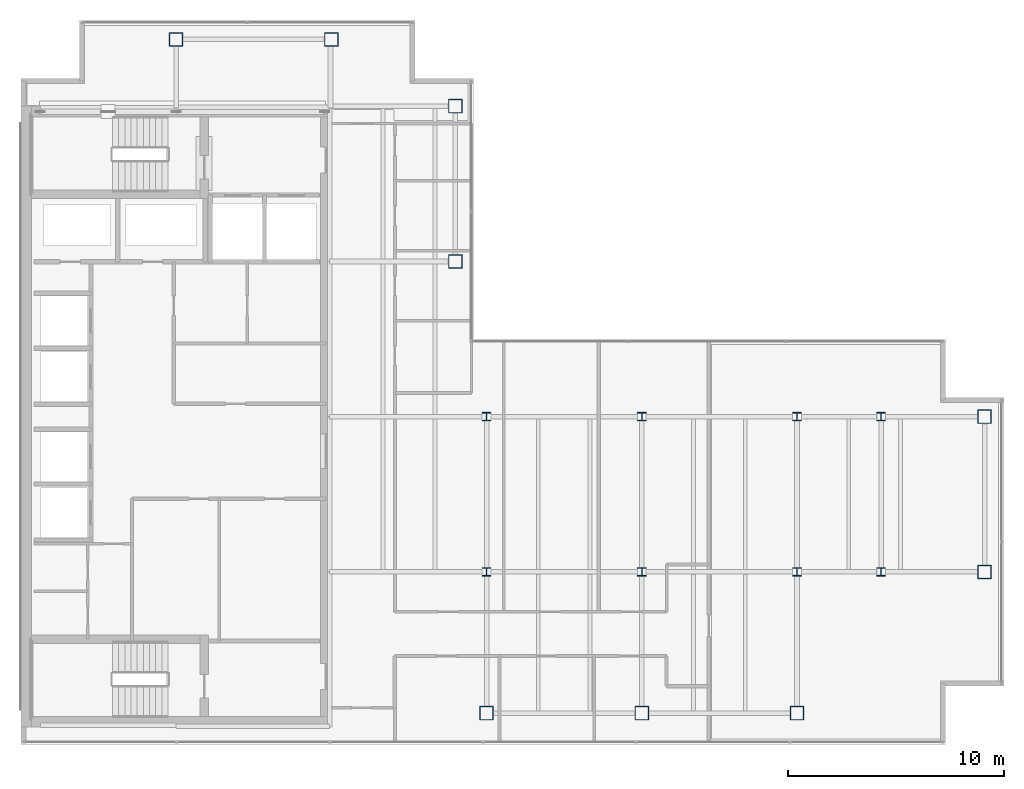
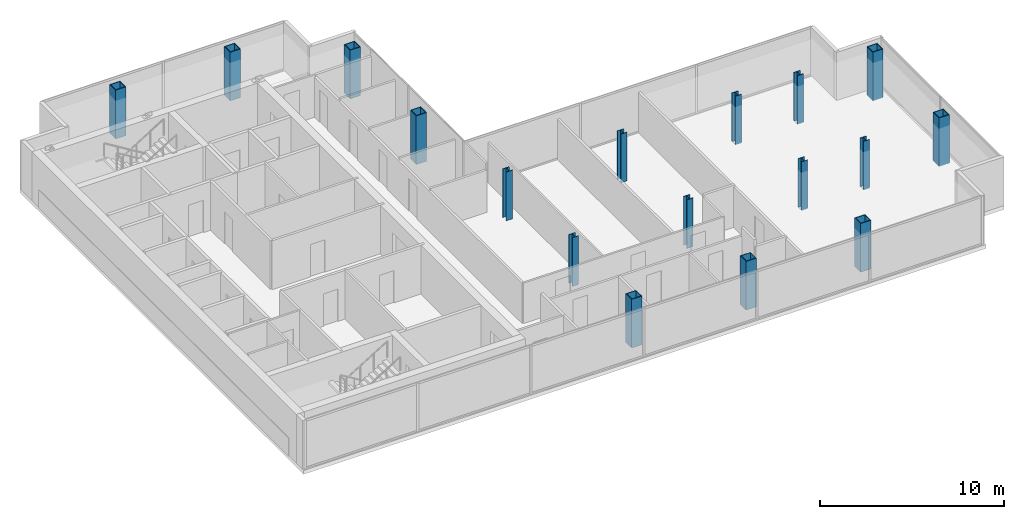
# One storey, part 1 of 23: 17 columns.
"""IFC4 building model written with IfcOpenShell, lengths in metres."""

import ifcopenshell
import ifcopenshell.guid

model = None  # the IFC model being written
_history = None  # IfcOwnerHistory: only IFC2X3 demands one
_inside = {}  # id of a spatial element -> (the spatial element, [elements in it])
_under = {}  # id of a project, library or spatial element -> (it, [spatial elements below it])
_declared = {}  # id of a project -> (the project, [libraries it declares])
_typed = {}  # id of a type object -> (the type object, [elements of that type])
_made_of = {}  # id of a material, layer set ... -> (it, [elements and type objects made of it])


def new_model(schema):
    """Start an empty IFC model of exactly this schema.

    Asked for "IFC4X3", IfcOpenShell would pick the latest addendum, in which some entities
    have other attributes; the version numbers below select the first issue.
    IFC2X3 requires an IfcOwnerHistory on every rooted entity: one is made here for all.
    """
    global model, _history
    if schema == "IFC4X3":
        model = ifcopenshell.file(schema_version=(4, 3, 0, 0))
    else:
        model = ifcopenshell.file(schema=schema)
    _inside.clear()
    _under.clear()
    _declared.clear()
    _typed.clear()
    _made_of.clear()
    _history = None
    if model.schema == "IFC2X3":
        org = make("IfcOrganization", Name="unknown")
        user = make(
            "IfcPersonAndOrganization",
            ThePerson=make("IfcPerson", FamilyName="unknown"),
            TheOrganization=org,
        )
        app = make(
            "IfcApplication",
            ApplicationDeveloper=org,
            Version="unknown",
            ApplicationFullName="unknown",
            ApplicationIdentifier="unknown",
        )
        _history = make(
            "IfcOwnerHistory",
            OwningUser=user,
            OwningApplication=app,
            ChangeAction="ADDED",
            CreationDate=0,
        )
    return model


def make(cls, **values):
    """One entity of the class cls with the attributes given. An attribute that is None is left unset."""
    return model.create_entity(
        cls, **{name: value for name, value in values.items() if value is not None}
    )


def rooted(cls, **values):
    """An entity with a GlobalId (a new one), such as an element, a storey or a relation."""
    return make(cls, GlobalId=ifcopenshell.guid.new(), OwnerHistory=_history, **values)


def si_unit(unit_type, name, prefix=None):
    """IfcSIUnit, for example si_unit("LENGTHUNIT", "METRE", prefix="MILLI")."""
    return make("IfcSIUnit", UnitType=unit_type, Prefix=prefix, Name=name)


def assignment(units):
    """IfcUnitAssignment: the units of a project."""
    return None if units is None else make("IfcUnitAssignment", Units=units)


def point(xyz):
    """IfcCartesianPoint."""
    return None if xyz is None else make("IfcCartesianPoint", Coordinates=xyz)


def direction(xyz):
    """IfcDirection."""
    return None if xyz is None else make("IfcDirection", DirectionRatios=xyz)


def frame(location, z_axis=None, x_axis=None):
    """IfcAxis2Placement3D, a coordinate frame: its origin and axes. An axis left out is left unset."""
    return make(
        "IfcAxis2Placement3D",
        Location=point(location),
        Axis=direction(z_axis),
        RefDirection=direction(x_axis),
    )


def frame_2d(location, x_axis=None):
    """IfcAxis2Placement2D, a coordinate frame in the plane: its origin and x axis."""
    return make(
        "IfcAxis2Placement2D", Location=point(location), RefDirection=direction(x_axis)
    )


def origin():
    """The frame at (0, 0, 0) with its axes left unset."""
    return frame((0.0, 0.0, 0.0))


def origin_2d():
    """The frame at (0, 0) in the plane with its x axis left unset."""
    return frame_2d((0.0, 0.0))


def place(relative_to, where):
    """IfcLocalPlacement: puts the frame where relative to a parent placement (None: the world)."""
    return make(
        "IfcLocalPlacement", PlacementRelTo=relative_to, RelativePlacement=where
    )


def context(
    kind, dimensions, precision=None, world=None, true_north=None, identifier=None
):
    """IfcGeometricRepresentationContext, for example the 3D "Model" context."""
    return make(
        "IfcGeometricRepresentationContext",
        ContextIdentifier=identifier,
        ContextType=kind,
        CoordinateSpaceDimension=dimensions,
        Precision=precision,
        WorldCoordinateSystem=world,
        TrueNorth=true_north,
    )


def subcontext(parent, identifier, kind, view, scale=None):
    """IfcGeometricRepresentationSubContext, for example "Body" below "Model"."""
    return make(
        "IfcGeometricRepresentationSubContext",
        ContextIdentifier=identifier,
        ContextType=kind,
        ParentContext=parent,
        TargetScale=scale,
        TargetView=view,
    )


def project(units=None, contexts=None):
    """IfcProject with its units and contexts."""
    return rooted(
        "IfcProject",
        Name="project",
        RepresentationContexts=contexts,
        UnitsInContext=assignment(units),
    )


def spatial(cls, under=None, at=None, **own):
    """A site, building, storey or space (cls), placed at a placement, below another one or the project."""
    s = rooted(cls, ObjectPlacement=at, **own)
    if under is not None:
        _under.setdefault(under.id(), (under, []))[1].append(s)
    return s


def profile(cls, at=None, kind="AREA", **sizes):
    """A parametric profile (cls). Its sizes go by their IFC names, for example OverallWidth=200.0."""
    return make(cls, ProfileType=kind, Position=at, **sizes)


def hollow_rectangle(**sizes):
    """IfcRectangleHollowProfileDef."""
    return profile("IfcRectangleHollowProfileDef", **sizes)


def i_section(**sizes):
    """IfcIShapeProfileDef."""
    return profile("IfcIShapeProfileDef", **sizes)


def extrude(swept, where, along, depth):
    """IfcExtrudedAreaSolid: the profile swept, set in the frame where, extruded along a direction by depth."""
    return make(
        "IfcExtrudedAreaSolid",
        SweptArea=swept,
        Position=where,
        ExtrudedDirection=direction(along),
        Depth=depth,
    )


def shape(context_of_items, identifier, shape_type, items):
    """IfcShapeRepresentation: the items that make up one representation, for example the "Body"."""
    return make(
        "IfcShapeRepresentation",
        ContextOfItems=context_of_items,
        RepresentationIdentifier=identifier,
        RepresentationType=shape_type,
        Items=items,
    )


def material(Name=None, Category=None):
    """IfcMaterial."""
    return make("IfcMaterial", Name=Name, Category=Category)


def material_profile(
    of_material, cross_section, Name=None, Category=None, Priority=None
):
    """IfcMaterialProfile: a cross section and its material."""
    return make(
        "IfcMaterialProfile",
        Name=Name,
        Material=of_material,
        Profile=cross_section,
        Priority=Priority,
        Category=Category,
    )


def profile_set(profiles, Name=None, composite=None):
    """IfcMaterialProfileSet."""
    return make(
        "IfcMaterialProfileSet",
        Name=Name,
        MaterialProfiles=profiles,
        CompositeProfile=composite,
    )


def made_of(thing, what):
    """Note that an element or type object is made of a material, layer set ...; save() writes the relation."""
    if what is not None:
        _made_of.setdefault(what.id(), (what, []))[1].append(thing)
    return thing


def type_object(cls, material=None, **own):
    """A type object (cls), such as IfcWallType, which elements share."""
    return made_of(rooted(cls, **own), material)


def element(
    cls,
    number,
    at=None,
    inside=None,
    cuts=None,
    type_object=None,
    material=None,
    context=None,
    identifier="Body",
    shape_type=None,
    held_by="IfcProductDefinitionShape",
    body=None,
    shapes=None,
    **own,
):
    """One element of the class cls, such as IfcWall. Its Tag is "e" and its number.

    at: its placement. inside: the storey or other place that contains it. cuts: it is an
    opening in that element (IfcRelVoidsElement). A single representation is given by context,
    identifier, shape_type and body (its items); several are given by shapes. held_by: the class
    of the entity that holds the representations. save() writes the other relations.
    """
    e = rooted(cls, Tag="e%d" % number, ObjectPlacement=at, **own)
    if body is not None:
        shapes = [shape(context, identifier, shape_type, body)]
    if shapes is not None:
        e.Representation = make(held_by, Representations=shapes)
    if inside is not None:
        _inside.setdefault(inside.id(), (inside, []))[1].append(e)
    if cuts is not None:
        rooted(
            "IfcRelVoidsElement", RelatingBuildingElement=cuts, RelatedOpeningElement=e
        )
    if type_object is not None:
        _typed.setdefault(type_object.id(), (type_object, []))[1].append(e)
    return made_of(e, material)


def aggregate(whole, parts):
    """IfcRelAggregates: a whole, such as a stair, and the parts it consists of."""
    return rooted("IfcRelAggregates", RelatingObject=whole, RelatedObjects=parts)


def save(model, path):
    """Write the relations noted so far, then the file.

    IfcRelAggregates (storeys below a building ...), IfcRelContainedInSpatialStructure (elements
    in a storey), IfcRelDefinesByType, IfcRelAssociatesMaterial and IfcRelDeclares: one each for
    every whole, place, type object, material and project.
    """
    for whole, parts in _under.values():
        aggregate(whole, parts)
    for where, things in _inside.values():
        rooted(
            "IfcRelContainedInSpatialStructure",
            RelatedElements=things,
            RelatingStructure=where,
        )
    for kind, things in _typed.values():
        rooted("IfcRelDefinesByType", RelatedObjects=things, RelatingType=kind)
    for what, things in _made_of.values():
        rooted("IfcRelAssociatesMaterial", RelatedObjects=things, RelatingMaterial=what)
    for by, libraries in _declared.values():
        rooted("IfcRelDeclares", RelatingContext=by, RelatedDefinitions=libraries)
    model.write(path)


model = new_model("IFC4")

# Units and contexts
model_context = context("Model", 3, precision=1e-05, world=origin(), true_north=direction((0.0, 1.0)))
body_context = subcontext(model_context, "Body", "Model", "MODEL_VIEW")
ifc_project = project(units=[si_unit("LENGTHUNIT", "METRE"), si_unit("AREAUNIT", "SQUARE_METRE"), si_unit("VOLUMEUNIT", "CUBIC_METRE"), si_unit("PLANEANGLEUNIT", "RADIAN"), si_unit("MASSUNIT", "GRAM", prefix="KILO")], contexts=[model_context])

# Site, building, storey
site_placement = place(None, origin())
site = spatial("IfcSite", under=ifc_project, at=site_placement, CompositionType="ELEMENT")
building_placement = place(site_placement, origin())
building = spatial("IfcBuilding", under=site, at=building_placement, Name="Cobrela Telecom Tower", CompositionType="ELEMENT")
storey_placement = place(building_placement, frame((0.0, 0.0, 286.64990234375)))
storey = spatial("IfcBuildingStorey", under=building, at=storey_placement, Name="L75", CompositionType="ELEMENT", Elevation=286.64990234375)

# Columns
ifc_material_1 = material(Name="Steel ASTM A992 Grade 50", Category="steel")
ifc_material_profile_1 = material_profile(ifc_material_1, i_section(OverallWidth=0.39892578125, OverallDepth=0.39404296875, WebThickness=0.022705078125, FlangeThickness=0.03662109375, FilletRadius=0.01806640625, at=origin_2d()), Name="W14X193")
ifc_profile_set_1 = profile_set([ifc_material_profile_1], Name="Steel ASTM A992 Grade 50")
column_type_1 = type_object("IfcColumnType", Name="COL-INT-06", PredefinedType="COLUMN", material=ifc_profile_set_1)
for number, where, z_axis, x_axis, name in (
    (1, (21.60009765625, 14.39990234375, 0.0), (0.0, 0.0, 1.0), (1.0, 0.0, 0.0), "L75 Interior Column 06"),
    (2, (21.60009765625, 21.60009765625, 0.0), (0.0, 0.0, 1.0), (1.0, 0.0, 0.0), "L75 Interior Column 07"),
    (3, (28.800048828125, 14.39990234375, 0.0), (0.0, 0.0, 1.0), (1.0, 0.0, 0.0), "L75 Interior Column 09"),
    (4, (28.800048828125, 21.60009765625, 0.0), (0.0, 0.0, 1.0), (1.0, 0.0, 0.0), "L75 Interior Column 10"),
    (5, (36.0, 14.39990234375, 0.0), (0.0, 0.0, 1.0), (1.0, 0.0, 0.0), "L75 Interior Column 12"),
    (6, (36.0, 21.60009765625, 0.0), (0.0, 0.0, 1.0), (1.0, 0.0, 0.0), "L75 Interior Column 13"),
    (7, (39.89990234375, 14.39990234375, 0.0), (0.0, 0.0, 1.0), (1.0, 0.0, 0.0), "L75 Interior Column 14"),
    (8, (39.89990234375, 21.60009765625, 0.0), (0.0, 0.0, 1.0), (1.0, 0.0, 0.0), "L75 Interior Column 15"),
):
    element("IfcColumn", number, at=place(storey_placement, frame(where, z_axis=z_axis, x_axis=x_axis)), inside=storey, type_object=column_type_1, Name=name, PredefinedType="COLUMN", context=body_context, shape_type="SweptSolid", body=[
        extrude(i_section(OverallWidth=0.39892578125, OverallDepth=0.39404296875, WebThickness=0.022705078125, FlangeThickness=0.03662109375, FilletRadius=0.01806640625, at=origin_2d()), origin(), (0.0, 0.0, 1.0), 3.239990234375),
    ])
ifc_material_2 = material(Name="Steel ASTM A572 Grade 50", Category="steel")
ifc_material_profile_2 = material_profile(ifc_material_2, hollow_rectangle(XDim=0.64990234375, YDim=0.64990234375, WallThickness=0.0400390625, at=origin_2d()), Name="BOX 650x650x40")
ifc_profile_set_2 = profile_set([ifc_material_profile_2], Name="Steel ASTM A572 Grade 50")
column_type_2 = type_object("IfcColumnType", Name="COL-MEGA-09", PredefinedType="COLUMN", material=ifc_profile_set_2)
for number, where, z_axis, x_axis, name in (
    (9, (7.199951171875, 39.10009765625, 0.0), (0.0, 0.0, 1.0), (1.0, 0.0, 0.0), "L75 Perimeter Mega-Column 01"),
    (10, (14.39990234375, 39.10009765625, 0.0), (0.0, 0.0, 1.0), (1.0, 0.0, 0.0), "L75 Perimeter Mega-Column 02"),
    (11, (20.14990234375, 28.800048828125, 0.0), (0.0, 0.0, 1.0), (1.0, 0.0, 0.0), "L75 Perimeter Mega-Column 03"),
    (12, (20.14990234375, 36.0, 0.0), (0.0, 0.0, 1.0), (1.0, 0.0, 0.0), "L75 Perimeter Mega-Column 04"),
    (13, (21.60009765625, 7.85009765625, 0.0), (0.0, 0.0, 1.0), (1.0, 0.0, 0.0), "L75 Perimeter Mega-Column 05"),
    (14, (28.800048828125, 7.85009765625, 0.0), (0.0, 0.0, 1.0), (1.0, 0.0, 0.0), "L75 Perimeter Mega-Column 08"),
    (15, (36.0, 7.85009765625, 0.0), (0.0, 0.0, 1.0), (1.0, 0.0, 0.0), "L75 Perimeter Mega-Column 11"),
    (16, (44.699951171875, 14.39990234375, 0.0), (0.0, 0.0, 1.0), (1.0, 0.0, 0.0), "L75 Perimeter Mega-Column 16"),
    (17, (44.699951171875, 21.60009765625, 0.0), (0.0, 0.0, 1.0), (1.0, 0.0, 0.0), "L75 Perimeter Mega-Column 17"),
):
    element("IfcColumn", number, at=place(storey_placement, frame(where, z_axis=z_axis, x_axis=x_axis)), inside=storey, type_object=column_type_2, Name=name, PredefinedType="COLUMN", context=body_context, shape_type="SweptSolid", body=[
        extrude(hollow_rectangle(XDim=0.64990234375, YDim=0.64990234375, WallThickness=0.0400390625, at=origin_2d()), origin(), (0.0, 0.0, 1.0), 3.239990234375),
    ])

save(model, "model.ifc")
